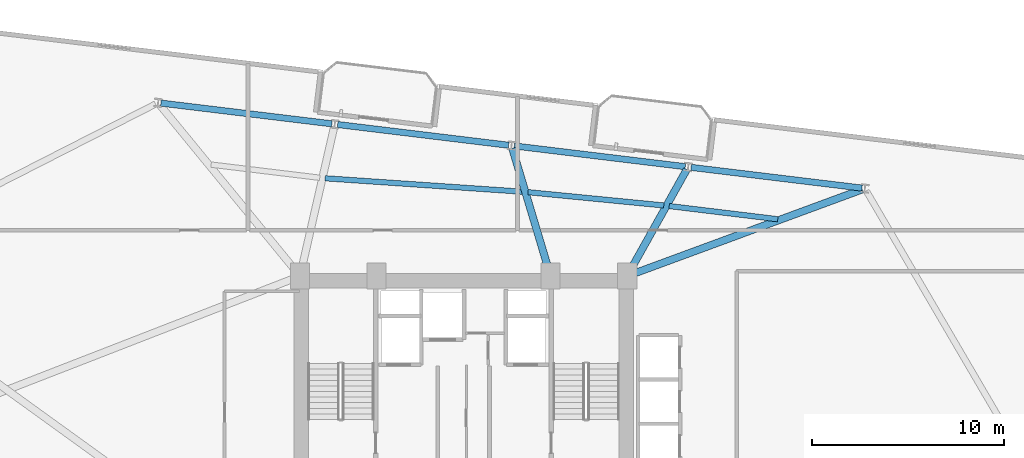
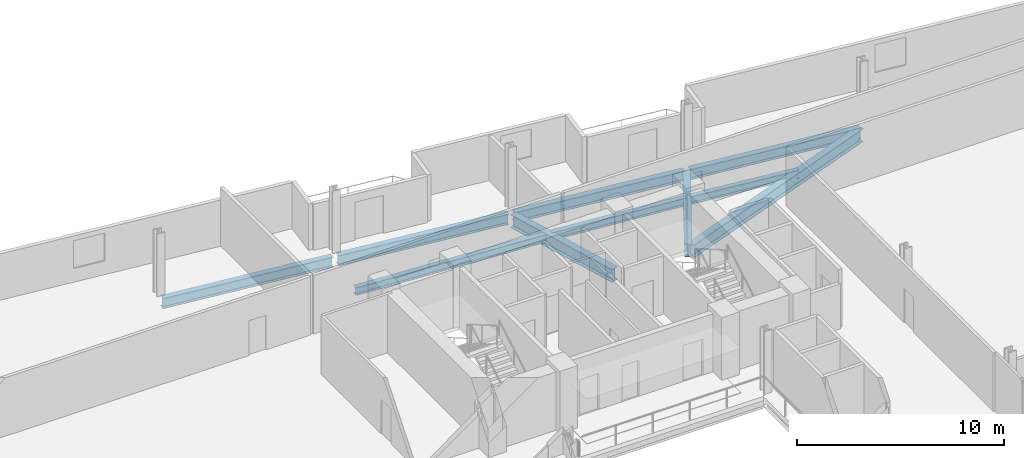
# One storey, part 13 of 25: 10 beams.
"""IFC4 building model written with IfcOpenShell, lengths in metres."""

from ifc_helpers import new_model, si_unit, direction, frame, origin, origin_2d, place, context, subcontext, project, spatial, i_section, extrude, material, material_profile, profile_set, type_object, element, save


model = new_model("IFC4")

# Units and contexts
model_context = context("Model", 3, precision=1e-05, world=origin(), true_north=direction((0.0, 1.0)))
body_context = subcontext(model_context, "Body", "Model", "MODEL_VIEW")
ifc_project = project(units=[si_unit("LENGTHUNIT", "METRE"), si_unit("AREAUNIT", "SQUARE_METRE"), si_unit("VOLUMEUNIT", "CUBIC_METRE"), si_unit("PLANEANGLEUNIT", "RADIAN"), si_unit("MASSUNIT", "GRAM", prefix="KILO")], contexts=[model_context])

# Site, building, storey
site_placement = place(None, origin())
site = spatial("IfcSite", under=ifc_project, at=site_placement, CompositionType="ELEMENT")
building_placement = place(site_placement, origin())
building = spatial("IfcBuilding", under=site, at=building_placement, Name="Varnelok Gate Tower", CompositionType="ELEMENT")
storey_placement = place(building_placement, frame((0.0, 0.0, 136.5)))
storey = spatial("IfcBuildingStorey", under=building, at=storey_placement, Name="L34", CompositionType="ELEMENT", Elevation=136.5)

# Beams
ifc_material = material(Name="Structural Steel ASTM A992 Grade 50", Category="steel")
ifc_material_profile_1 = material_profile(ifc_material, i_section(OverallWidth=0.280029296875, OverallDepth=0.462890625, WebThickness=0.0107421875, FlangeThickness=0.017333984375, FilletRadius=0.014892578125, at=origin_2d()), Name="W18X76")
ifc_profile_set_1 = profile_set([ifc_material_profile_1], Name="Structural Steel ASTM A992 Grade 50")
beam_type_1 = type_object("IfcBeamType", Name="BM-JST-W18X76", PredefinedType="JOIST", material=ifc_profile_set_1)
beam_1_placement = place(storey_placement, frame((55.529541015625, 42.003662109375, -0.4814453125), z_axis=(-0.992732072323, 0.12034547179, 0.0), x_axis=(-0.12034547179, -0.992732072323, 0.0)))
element("IfcBeam", 1, at=beam_1_placement, inside=storey, type_object=beam_type_1, Name="L34 Sector Floor Joist 7", PredefinedType="JOIST", context=body_context, shape_type="SweptSolid", body=[
    extrude(i_section(OverallWidth=0.280029296875, OverallDepth=0.462890625, WebThickness=0.0107421875, FlangeThickness=0.017333984375, FilletRadius=0.014892578125, at=origin_2d()), origin(), (0.0, 0.0, 1.0), 5.686279296875),
])
beam_2_placement = place(storey_placement, frame((49.606201171875, 42.718505859375, -0.4814453125), z_axis=(-0.995244965706, 0.097403584307, 0.0), x_axis=(-0.097403584307, -0.995244965706, 0.0)))
element("IfcBeam", 2, at=beam_2_placement, inside=storey, type_object=beam_type_1, Name="L34 Sector Floor Joist 8", PredefinedType="JOIST", context=body_context, shape_type="SweptSolid", body=[
    extrude(i_section(OverallWidth=0.280029296875, OverallDepth=0.462890625, WebThickness=0.0107421875, FlangeThickness=0.017333984375, FilletRadius=0.014892578125, at=origin_2d()), origin(), (0.0, 0.0, 1.0), 7.0908203125),
])
beam_3_placement = place(storey_placement, frame((42.27001953125, 43.432373046875, -0.4814453125), z_axis=(-0.997689983187, 0.067931564447, 0.0), x_axis=(-0.067931564447, -0.997689983187, 0.0)))
element("IfcBeam", 3, at=beam_3_placement, inside=storey, type_object=beam_type_1, Name="L34 Sector Floor Joist 9", PredefinedType="JOIST", context=body_context, shape_type="SweptSolid", body=[
    extrude(i_section(OverallWidth=0.280029296875, OverallDepth=0.462890625, WebThickness=0.0107421875, FlangeThickness=0.017333984375, FilletRadius=0.014892578125, at=origin_2d()), origin(), (0.0, 0.0, 1.0), 10.289306640625),
])
ifc_material_profile_2 = material_profile(ifc_material, i_section(OverallWidth=0.381103515625, OverallDepth=0.77294921875, WebThickness=0.0166015625, FlangeThickness=0.027099609375, FilletRadius=0.02197265625, at=origin_2d()), Name="W30X173")
ifc_profile_set_2 = profile_set([ifc_material_profile_2], Name="Structural Steel ASTM A992 Grade 50")
beam_type_2 = type_object("IfcBeamType", Name="BM-PRI-W30X173", PredefinedType="BEAM", material=ifc_profile_set_2)
beam_4_placement = place(storey_placement, frame((47.8408203125, 39.101806640625, -0.636474609375), z_axis=(0.938296458402, 0.345831976761, 0.0), x_axis=(-0.345831976761, 0.938296458402, 0.0)))
element("IfcBeam", 4, at=beam_4_placement, inside=storey, type_object=beam_type_2, Name="L34 Radial Floor Girder 9", PredefinedType="BEAM", context=body_context, shape_type="SweptSolid", body=[
    extrude(i_section(OverallWidth=0.381103515625, OverallDepth=0.77294921875, WebThickness=0.0166015625, FlangeThickness=0.027099609375, FilletRadius=0.02197265625, at=origin_2d()), origin(), (0.0, 0.0, 1.0), 12.86669921875),
])
beam_5_placement = place(storey_placement, frame((47.773193359375, 39.180908203125, -0.636474609375), z_axis=(0.48838490004, 0.872628322605, 0.0), x_axis=(-0.872628322605, 0.48838490004, 0.0)))
element("IfcBeam", 5, at=beam_5_placement, inside=storey, type_object=beam_type_2, Name="L34 Radial Floor Girder 10", PredefinedType="BEAM", context=body_context, shape_type="SweptSolid", body=[
    extrude(i_section(OverallWidth=0.381103515625, OverallDepth=0.77294921875, WebThickness=0.0166015625, FlangeThickness=0.027099609375, FilletRadius=0.02197265625, at=origin_2d()), origin(), (0.0, 0.0, 1.0), 6.193603515625),
])
beam_6_placement = place(storey_placement, frame((43.677001953125, 39.193603515625, -0.636474609375), z_axis=(-0.28702069947, 0.957924380145, 0.0), x_axis=(-0.957924380145, -0.28702069947, 0.0)))
element("IfcBeam", 6, at=beam_6_placement, inside=storey, type_object=beam_type_2, Name="L34 Radial Floor Girder 11", PredefinedType="BEAM", context=body_context, shape_type="SweptSolid", body=[
    extrude(i_section(OverallWidth=0.381103515625, OverallDepth=0.77294921875, WebThickness=0.0166015625, FlangeThickness=0.027099609375, FilletRadius=0.02197265625, at=origin_2d()), origin(), (0.0, 0.0, 1.0), 6.777587890625),
])
ifc_material_profile_3 = material_profile(ifc_material, i_section(OverallWidth=0.323974609375, OverallDepth=0.611083984375, WebThickness=0.0126953125, FlangeThickness=0.01904296875, FilletRadius=0.01806640625, at=origin_2d()), Name="W24X104")
ifc_profile_set_3 = profile_set([ifc_material_profile_3], Name="Structural Steel ASTM A992 Grade 50")
beam_type_3 = type_object("IfcBeamType", Name="BM-SPN-W24X104", PredefinedType="SPANDREL", material=ifc_profile_set_3)
for number, where, z_axis, x_axis, name in (
    (7, (59.905517578125, 43.621337890625, -0.555419921875), (-0.99273141198, 0.120350918849, 0.0), (-0.120350918849, -0.99273141198, 0.0), "L34 Perimeter Spandrel Beam 9"),
    (8, (50.72265625, 44.734619140625, -0.555419921875), (-0.992734670707, 0.120324035735, 0.0), (-0.120324035735, -0.992734670707, 0.0), "L34 Perimeter Spandrel Beam 10"),
    (9, (41.539794921875, 45.847900390625, -0.555419921875), (-0.992734670707, 0.120324035735, 0.0), (-0.120324035735, -0.992734670707, 0.0), "L34 Perimeter Spandrel Beam 11"),
    (10, (32.357177734375, 46.9609375, -0.555419921875), (-0.99273141198, 0.120350918849, 0.0), (-0.120350918849, -0.99273141198, 0.0), "L34 Perimeter Spandrel Beam 12"),
):
    element("IfcBeam", number, at=place(storey_placement, frame(where, z_axis=z_axis, x_axis=x_axis)), inside=storey, type_object=beam_type_3, Name=name, PredefinedType="SPANDREL", context=body_context, shape_type="SweptSolid", body=[
        extrude(i_section(OverallWidth=0.323974609375, OverallDepth=0.611083984375, WebThickness=0.0126953125, FlangeThickness=0.01904296875, FilletRadius=0.01806640625, at=origin_2d()), origin(), (0.0, 0.0, 1.0), 8.949951171875),
    ])

save(model, "model.ifc")
